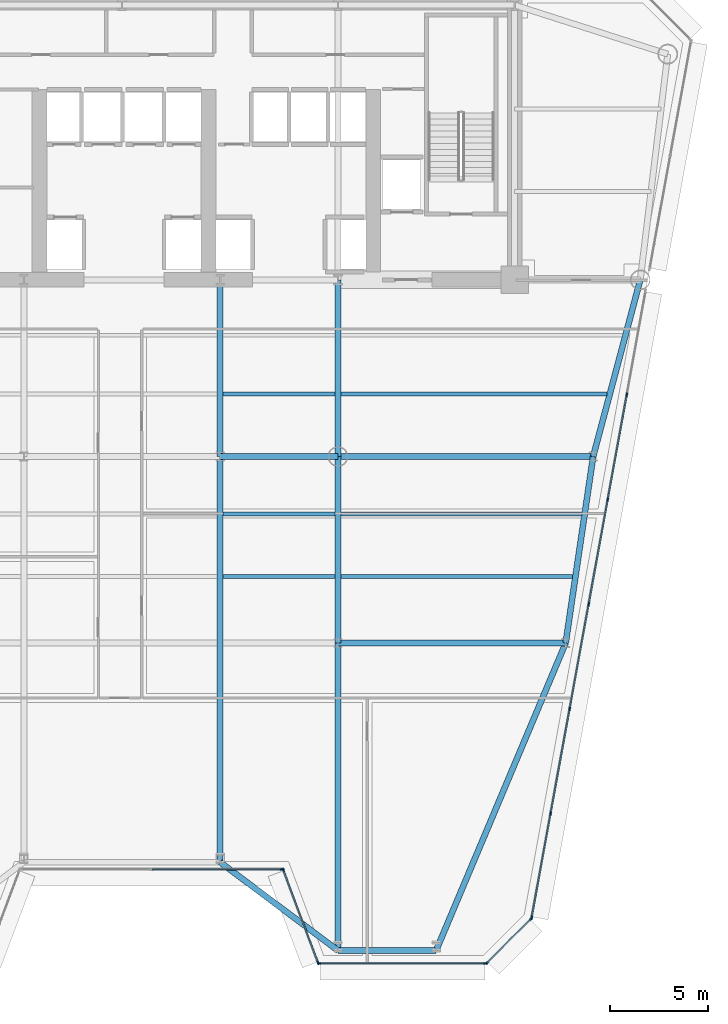
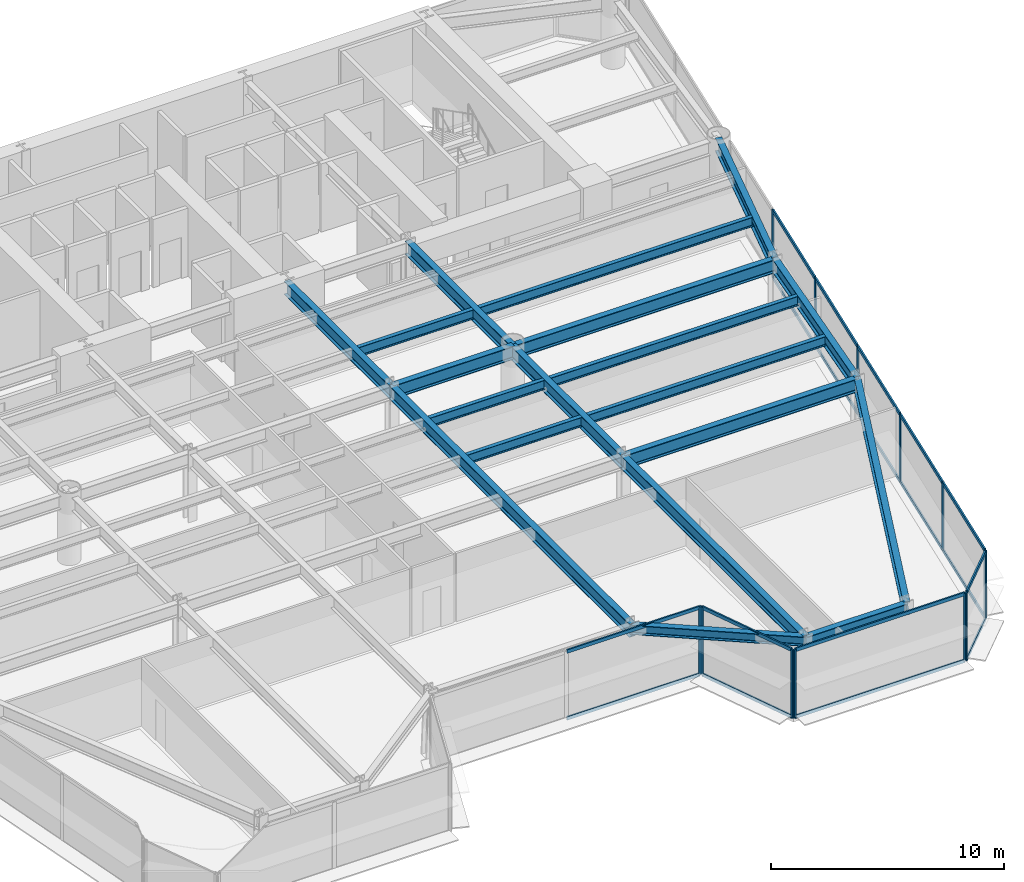
# One storey, part 4 of 14: 31 members, 19 beams, 5 elements without a shape of their own.
"""IFC4 building model written with IfcOpenShell, lengths in metres."""

from ifc_helpers import new_model, si_unit, direction, frame, origin, origin_2d, place, context, subcontext, project, spatial, rectangle, i_section, extrude, source, transform, mapped, material, layer, layer_set, material_profile, profile_set, type_object, element, aggregate, save


model = new_model("IFC4")

# Units and contexts
model_context = context("Model", 3, precision=1e-05, world=origin(), true_north=direction((0.0, 1.0)))
body_context = subcontext(model_context, "Body", "Model", "MODEL_VIEW")
ifc_project = project(units=[si_unit("LENGTHUNIT", "METRE"), si_unit("AREAUNIT", "SQUARE_METRE"), si_unit("VOLUMEUNIT", "CUBIC_METRE"), si_unit("PLANEANGLEUNIT", "RADIAN"), si_unit("MASSUNIT", "GRAM", prefix="KILO")], contexts=[model_context])

# Site, building, storey
site_placement = place(None, origin())
site = spatial("IfcSite", under=ifc_project, at=site_placement, CompositionType="ELEMENT")
building_placement = place(site_placement, origin())
building = spatial("IfcBuilding", under=site, at=building_placement, Name="Vaeldorn Concourse Tower", CompositionType="ELEMENT")
storey_placement = place(building_placement, frame((0.0, 0.0, 118.60009765625)))
storey = spatial("IfcBuildingStorey", under=building, at=storey_placement, Name="L30", CompositionType="ELEMENT", Elevation=118.60009765625)

# Beams
ifc_material_1 = material(Name="Steel S355", Category="steel")
ifc_material_profile_1 = material_profile(ifc_material_1, i_section(OverallWidth=0.199951171875, OverallDepth=0.5, WebThickness=0.01025390625, FlangeThickness=0.01611328125, FilletRadius=0.02099609375, at=origin_2d()), Name="IPE 500")
ifc_profile_set_1 = profile_set([ifc_material_profile_1], Name="Steel S355")
beam_type_1 = type_object("IfcBeamType", Name="BM-JS-IPE500", PredefinedType="JOIST", material=ifc_profile_set_1)
shared_shape_1 = source(origin(), body_context, "Body", "SweptSolid", [
    extrude(i_section(OverallWidth=0.199951171875, OverallDepth=0.5, WebThickness=0.01025390625, FlangeThickness=0.01611328125, FilletRadius=0.02099609375, at=origin_2d()), origin(), (0.0, 0.0, 1.0), 5.7001953125),
])
for number, where, z_axis, x_axis, name in (
    (1, (39.14990234375, 21.3798828125, 3.329833984375), (1.0, 0.0, 0.0), (0.0, 1.0, 0.0), "Beam JS-L30-E2-213"),
    (2, (39.14990234375, 24.580078125, 3.329833984375), (1.0, 0.0, 0.0), (0.0, 1.0, 0.0), "Beam JS-L30-E2-245"),
    (3, (39.14990234375, 30.679931640625, 3.329833984375), (1.0, 0.0, 0.0), (0.0, 1.0, 0.0), "Beam JS-L30-E2-306"),
):
    element("IfcBeam", number, at=place(storey_placement, frame(where, z_axis=z_axis, x_axis=x_axis)), inside=storey, type_object=beam_type_1, Name=name, PredefinedType="JOIST", context=body_context, shape_type="MappedRepresentation", body=[
        mapped(shared_shape_1, transform((0.0, 0.0, 0.0), scale=1.0)),
    ])
shared_shape_2 = source(origin(), body_context, "Body", "SweptSolid", [
    extrude(i_section(OverallWidth=0.199951171875, OverallDepth=0.5, WebThickness=0.01025390625, FlangeThickness=0.01611328125, FilletRadius=0.02099609375, at=origin_2d()), origin(), (0.0, 0.0, 1.0), 11.798095703125),
])
beam_1_placement = place(storey_placement, frame((45.14990234375, 21.3798828125, 3.329833984375), z_axis=(1.0, 0.0, 0.0), x_axis=(0.0, 1.0, 0.0)))
element("IfcBeam", 4, at=beam_1_placement, inside=storey, type_object=beam_type_1, Name="Beam JS-L30-E1-213", PredefinedType="JOIST", context=body_context, shape_type="MappedRepresentation", body=[
    mapped(shared_shape_2, transform((0.0, 0.0, 0.0), scale=1.0)),
])
shared_shape_3 = source(origin(), body_context, "Body", "SweptSolid", [
    extrude(i_section(OverallWidth=0.199951171875, OverallDepth=0.5, WebThickness=0.01025390625, FlangeThickness=0.01611328125, FilletRadius=0.02099609375, at=origin_2d()), origin(), (0.0, 0.0, 1.0), 12.269775390625),
])
beam_2_placement = place(storey_placement, frame((45.14990234375, 24.580078125, 3.329833984375), z_axis=(1.0, 0.0, 0.0), x_axis=(0.0, 1.0, 0.0)))
element("IfcBeam", 5, at=beam_2_placement, inside=storey, type_object=beam_type_1, Name="Beam JS-L30-E1-245", PredefinedType="JOIST", context=body_context, shape_type="MappedRepresentation", body=[
    mapped(shared_shape_3, transform((0.0, 0.0, 0.0), scale=1.0)),
])
shared_shape_4 = source(origin(), body_context, "Body", "SweptSolid", [
    extrude(i_section(OverallWidth=0.199951171875, OverallDepth=0.5, WebThickness=0.01025390625, FlangeThickness=0.01611328125, FilletRadius=0.02099609375, at=origin_2d()), origin(), (0.0, 0.0, 1.0), 13.548095703125),
])
beam_3_placement = place(storey_placement, frame((45.14990234375, 30.679931640625, 3.329833984375), z_axis=(1.0, 0.0, 0.0), x_axis=(0.0, 1.0, 0.0)))
element("IfcBeam", 6, at=beam_3_placement, inside=storey, type_object=beam_type_1, Name="Beam JS-L30-E1-306", PredefinedType="JOIST", context=body_context, shape_type="MappedRepresentation", body=[
    mapped(shared_shape_4, transform((0.0, 0.0, 0.0), scale=1.0)),
])
ifc_material_profile_2 = material_profile(ifc_material_1, i_section(OverallWidth=0.300048828125, OverallDepth=0.699951171875, WebThickness=0.01708984375, FlangeThickness=0.031982421875, FilletRadius=0.027099609375, at=origin_2d()), Name="HEB 700")
ifc_profile_set_2 = profile_set([ifc_material_profile_2], Name="Steel S355")
beam_type_2 = type_object("IfcBeamType", Name="BM-PG-HEB700", PredefinedType="BEAM", material=ifc_profile_set_2)
shared_shape_5 = source(origin(), body_context, "Body", "SweptSolid", [
    extrude(i_section(OverallWidth=0.300048828125, OverallDepth=0.699951171875, WebThickness=0.01708984375, FlangeThickness=0.031982421875, FilletRadius=0.027099609375, at=origin_2d()), origin(), (0.0, 0.0, 1.0), 6.0),
])
beam_4_placement = place(storey_placement, frame((39.0, 27.5, 3.22998046875), z_axis=(1.0, 0.0, 0.0), x_axis=(0.0, 1.0, 0.0)))
element("IfcBeam", 7, at=beam_4_placement, inside=storey, type_object=beam_type_2, Name="Beam BM-L30-C-TW3-C-TW4", PredefinedType="BEAM", context=body_context, shape_type="MappedRepresentation", body=[
    mapped(shared_shape_5, transform((0.0, 0.0, 0.0), scale=1.0)),
])
shared_shape_6 = source(origin(), body_context, "Body", "SweptSolid", [
    extrude(i_section(OverallWidth=0.300048828125, OverallDepth=0.699951171875, WebThickness=0.01708984375, FlangeThickness=0.031982421875, FilletRadius=0.027099609375, at=origin_2d()), origin(), (0.0, 0.0, 1.0), 9.0),
])
for number, where, z_axis, x_axis, name in (
    (8, (39.0, 27.5, 3.22998046875), (0.0, 1.0, 0.0), (-1.0, 0.0, 0.0), "Beam BM-L30-C-TW3-C-FC4"),
    (9, (45.0, 27.5, 3.22998046875), (0.0, 1.0, 0.0), (-1.0, 0.0, 0.0), "Beam BM-L30-C-TW4-C-FC5"),
):
    element("IfcBeam", number, at=place(storey_placement, frame(where, z_axis=z_axis, x_axis=x_axis)), inside=storey, type_object=beam_type_2, Name=name, PredefinedType="BEAM", context=body_context, shape_type="MappedRepresentation", body=[
        mapped(shared_shape_6, transform((0.0, 0.0, 0.0), scale=1.0)),
    ])
shared_shape_7 = source(origin(), body_context, "Body", "SweptSolid", [
    extrude(i_section(OverallWidth=0.300048828125, OverallDepth=0.699951171875, WebThickness=0.01708984375, FlangeThickness=0.031982421875, FilletRadius=0.027099609375, at=origin_2d()), origin(), (0.0, 0.0, 1.0), 9.314453125),
])
beam_5_placement = place(storey_placement, frame((60.39990234375, 36.5, 3.22998046875), z_axis=(-0.257652862255, -0.966237549763, 0.0), x_axis=(0.966237549763, -0.257652862255, 0.0)))
element("IfcBeam", 10, at=beam_5_placement, inside=storey, type_object=beam_type_2, Name="Beam BM-L30-C-NE2-C-FLE1", PredefinedType="BEAM", context=body_context, shape_type="MappedRepresentation", body=[
    mapped(shared_shape_7, transform((0.0, 0.0, 0.0), scale=1.0)),
])
shared_shape_8 = source(origin(), body_context, "Body", "SweptSolid", [
    extrude(i_section(OverallWidth=0.300048828125, OverallDepth=0.699951171875, WebThickness=0.01708984375, FlangeThickness=0.031982421875, FilletRadius=0.027099609375, at=origin_2d()), origin(), (0.0, 0.0, 1.0), 13.0),
])
beam_6_placement = place(storey_placement, frame((45.0, 27.5, 3.22998046875), z_axis=(1.0, 0.0, 0.0), x_axis=(0.0, 1.0, 0.0)))
element("IfcBeam", 11, at=beam_6_placement, inside=storey, type_object=beam_type_2, Name="Beam BM-L30-C-TW4-C-FLE1", PredefinedType="BEAM", context=body_context, shape_type="MappedRepresentation", body=[
    mapped(shared_shape_8, transform((0.0, 0.0, 0.0), scale=1.0)),
])
ifc_material_profile_3 = material_profile(ifc_material_1, i_section(OverallWidth=0.300048828125, OverallDepth=0.5, WebThickness=0.014404296875, FlangeThickness=0.028076171875, FilletRadius=0.027099609375, at=origin_2d()), Name="HEB 500")
ifc_profile_set_3 = profile_set([ifc_material_profile_3], Name="Steel S355")
beam_type_3 = type_object("IfcBeamType", Name="BM-SP-HEB500", PredefinedType="SPANDREL", material=ifc_profile_set_3)
shared_shape_9 = source(origin(), body_context, "Body", "SweptSolid", [
    extrude(i_section(OverallWidth=0.300048828125, OverallDepth=0.5, WebThickness=0.014404296875, FlangeThickness=0.028076171875, FilletRadius=0.027099609375, at=origin_2d()), origin(), (0.0, 0.0, 1.0), 5.0),
])
beam_7_placement = place(storey_placement, frame((45.0, 2.33447265625, 3.329833984375), z_axis=(1.0, 0.0, 0.0), x_axis=(0.0, 1.0, 0.0)))
element("IfcBeam", 12, at=beam_7_placement, inside=storey, type_object=beam_type_3, Name="Beam BM-L30-C-SF5-C-SF6", PredefinedType="SPANDREL", context=body_context, shape_type="MappedRepresentation", body=[
    mapped(shared_shape_9, transform((0.0, 0.0, 0.0), scale=1.0)),
])
shared_shape_10 = source(origin(), body_context, "Body", "SweptSolid", [
    extrude(i_section(OverallWidth=0.300048828125, OverallDepth=0.5, WebThickness=0.014404296875, FlangeThickness=0.028076171875, FilletRadius=0.027099609375, at=origin_2d()), origin(), (0.0, 0.0, 1.0), 7.5),
])
beam_8_placement = place(storey_placement, frame((39.0, 6.83447265625, 3.329833984375), z_axis=(0.8, -0.6, 0.0), x_axis=(0.6, 0.8, 0.0)))
element("IfcBeam", 13, at=beam_8_placement, inside=storey, type_object=beam_type_3, Name="Beam BM-L30-C-SF4-C-SF5", PredefinedType="SPANDREL", context=body_context, shape_type="MappedRepresentation", body=[
    mapped(shared_shape_10, transform((0.0, 0.0, 0.0), scale=1.0)),
])
shared_shape_11 = source(origin(), body_context, "Body", "SweptSolid", [
    extrude(i_section(OverallWidth=0.300048828125, OverallDepth=0.699951171875, WebThickness=0.01708984375, FlangeThickness=0.031982421875, FilletRadius=0.027099609375, at=origin_2d()), origin(), (0.0, 0.0, 1.0), 9.6025390625),
])
beam_9_placement = place(storey_placement, frame((58.0, 27.5, 3.22998046875), z_axis=(-0.145783835977, -0.989316467652, 0.0), x_axis=(0.989316467652, -0.145783835977, 0.0)))
element("IfcBeam", 14, at=beam_9_placement, inside=storey, type_object=beam_type_2, Name="Beam BM-L30-C-FLE1-C-FLE2", PredefinedType="BEAM", context=body_context, shape_type="MappedRepresentation", body=[
    mapped(shared_shape_11, transform((0.0, 0.0, 0.0), scale=1.0)),
])
shared_shape_12 = source(origin(), body_context, "Body", "SweptSolid", [
    extrude(i_section(OverallWidth=0.300048828125, OverallDepth=0.699951171875, WebThickness=0.01708984375, FlangeThickness=0.031982421875, FilletRadius=0.027099609375, at=origin_2d()), origin(), (0.0, 0.0, 1.0), 11.60009765625),
])
beam_10_placement = place(storey_placement, frame((45.0, 18.0, 3.22998046875), z_axis=(1.0, 0.0, 0.0), x_axis=(0.0, 1.0, 0.0)))
element("IfcBeam", 15, at=beam_10_placement, inside=storey, type_object=beam_type_2, Name="Beam BM-L30-C-TW6-C-FLE2", PredefinedType="BEAM", context=body_context, shape_type="MappedRepresentation", body=[
    mapped(shared_shape_12, transform((0.0, 0.0, 0.0), scale=1.0)),
])
shared_shape_13 = source(origin(), body_context, "Body", "SweptSolid", [
    extrude(i_section(OverallWidth=0.300048828125, OverallDepth=0.699951171875, WebThickness=0.01708984375, FlangeThickness=0.031982421875, FilletRadius=0.027099609375, at=origin_2d()), origin(), (0.0, 0.0, 1.0), 9.5),
])
beam_11_placement = place(storey_placement, frame((45.0, 18.0, 3.22998046875), z_axis=(0.0, 1.0, 0.0), x_axis=(-1.0, 0.0, 0.0)))
element("IfcBeam", 16, at=beam_11_placement, inside=storey, type_object=beam_type_2, Name="Beam BM-L30-C-TW6-C-TW4", PredefinedType="BEAM", context=body_context, shape_type="MappedRepresentation", body=[
    mapped(shared_shape_13, transform((0.0, 0.0, 0.0), scale=1.0)),
])
shared_shape_14 = source(origin(), body_context, "Body", "SweptSolid", [
    extrude(i_section(OverallWidth=0.300048828125, OverallDepth=0.699951171875, WebThickness=0.01708984375, FlangeThickness=0.031982421875, FilletRadius=0.027099609375, at=origin_2d()), origin(), (0.0, 0.0, 1.0), 16.9990234375),
])
beam_12_placement = place(storey_placement, frame((50.0, 2.33447265625, 3.22998046875), z_axis=(0.388261166886, 0.921549383532, 0.0), x_axis=(-0.921549383532, 0.388261166886, 0.0)))
element("IfcBeam", 17, at=beam_12_placement, inside=storey, type_object=beam_type_2, Name="Beam BM-L30-C-SF6-C-FLE2", PredefinedType="BEAM", context=body_context, shape_type="MappedRepresentation", body=[
    mapped(shared_shape_14, transform((0.0, 0.0, 0.0), scale=1.0)),
])
shared_shape_15 = source(origin(), body_context, "Body", "SweptSolid", [
    extrude(i_section(OverallWidth=0.300048828125, OverallDepth=0.699951171875, WebThickness=0.01708984375, FlangeThickness=0.031982421875, FilletRadius=0.027099609375, at=origin_2d()), origin(), (0.0, 0.0, 1.0), 15.66552734375),
])
beam_13_placement = place(storey_placement, frame((45.0, 2.33447265625, 3.22998046875), z_axis=(0.0, 1.0, 0.0), x_axis=(-1.0, 0.0, 0.0)))
element("IfcBeam", 18, at=beam_13_placement, inside=storey, type_object=beam_type_2, Name="Beam BM-L30-C-SF5-C-TW6", PredefinedType="BEAM", context=body_context, shape_type="MappedRepresentation", body=[
    mapped(shared_shape_15, transform((0.0, 0.0, 0.0), scale=1.0)),
])
shared_shape_16 = source(origin(), body_context, "Body", "SweptSolid", [
    extrude(i_section(OverallWidth=0.300048828125, OverallDepth=0.699951171875, WebThickness=0.01708984375, FlangeThickness=0.031982421875, FilletRadius=0.027099609375, at=origin_2d()), origin(), (0.0, 0.0, 1.0), 20.66552734375),
])
beam_14_placement = place(storey_placement, frame((39.0, 6.83447265625, 3.22998046875), z_axis=(0.0, 1.0, 0.0), x_axis=(-1.0, 0.0, 0.0)))
element("IfcBeam", 19, at=beam_14_placement, inside=storey, type_object=beam_type_2, Name="Beam BM-L30-C-SF4-C-TW3", PredefinedType="BEAM", context=body_context, shape_type="MappedRepresentation", body=[
    mapped(shared_shape_16, transform((0.0, 0.0, 0.0), scale=1.0)),
])

# Curtain wall, members
ifc_material_2 = material(Name="Anodised Bronze Aluminium", Category="aluminium")
ifc_layer = layer(ifc_material_2, 0.199951171875)
ifc_layer_set = layer_set([ifc_layer], Name="Anodised Bronze Aluminium")
curtain_wall_type = type_object("IfcCurtainWallType", Name="CW-SYS-02", PredefinedType="NOTDEFINED", material=ifc_layer_set)
curtain_wall_1_placement = place(storey_placement, origin())
curtain_wall_1 = element("IfcCurtainWall", 20, at=curtain_wall_1_placement, inside=storey, type_object=curtain_wall_type, Name="Unitised Curtain Wall CW-L30-E03-1", PredefinedType="NOTDEFINED")
ifc_material_profile_4 = material_profile(ifc_material_2, rectangle(XDim=0.074951171875, YDim=0.179931640625, at=origin_2d()), Name="CWT 75x180")
ifc_profile_set_4 = profile_set([ifc_material_profile_4], Name="Anodised Bronze Aluminium")
member_type_1 = type_object("IfcMemberType", Name="CWT-BRONZE-180", PredefinedType="USERDEFINED", material=ifc_profile_set_4)
shared_shape_17 = source(origin(), body_context, "Body", "SweptSolid", [
    extrude(rectangle(XDim=0.074951171875, YDim=0.179931640625, at=origin_2d()), origin(), (0.0, 0.0, 1.0), 6.58740234375),
])
member_1_placement = place(storey_placement, frame((35.53759765625, 6.473388671875, 0.037353515625), z_axis=(1.0, 0.0, 0.0), x_axis=(0.0, 1.0, 0.0)))
member_1 = element("IfcMember", 21, at=member_1_placement, type_object=member_type_1, Name="CW-02 transom 2.1", ObjectType="TRANSOM", PredefinedType="USERDEFINED", context=body_context, shape_type="MappedRepresentation", body=[
    mapped(shared_shape_17, transform((0.0, 0.0, 0.0), scale=1.0)),
])
member_2_placement = place(storey_placement, frame((35.53759765625, 6.473388671875, 3.54248046875), z_axis=(1.0, 0.0, 0.0), x_axis=(0.0, 1.0, 0.0)))
member_2 = element("IfcMember", 22, at=member_2_placement, type_object=member_type_1, Name="CW-02 transom 2.2", ObjectType="TRANSOM", PredefinedType="USERDEFINED", context=body_context, shape_type="MappedRepresentation", body=[
    mapped(shared_shape_17, transform((0.0, 0.0, 0.0), scale=1.0)),
])

curtain_wall_2_placement = place(storey_placement, origin())
curtain_wall_2 = element("IfcCurtainWall", 23, at=curtain_wall_2_placement, inside=storey, type_object=curtain_wall_type, Name="Unitised Curtain Wall CW-L30-E06-1", PredefinedType="NOTDEFINED")
shared_shape_18 = source(origin(), body_context, "Body", "SweptSolid", [
    extrude(rectangle(XDim=0.074951171875, YDim=0.179931640625, at=origin_2d()), origin(), (0.0, 0.0, 1.0), 3.102783203125),
])
member_3_placement = place(storey_placement, frame((52.614013671875, 1.7265625, 0.037353515625), z_axis=(0.707146122816, 0.707067437368, 0.0), x_axis=(-0.707067437368, 0.707146122816, 0.0)))
member_3 = element("IfcMember", 24, at=member_3_placement, type_object=member_type_1, Name="CW-02 transom 1.1", ObjectType="TRANSOM", PredefinedType="USERDEFINED", context=body_context, shape_type="MappedRepresentation", body=[
    mapped(shared_shape_18, transform((0.0, 0.0, 0.0), scale=1.0)),
])
member_4_placement = place(storey_placement, frame((52.614013671875, 1.7265625, 3.54248046875), z_axis=(0.707146122816, 0.707067437368, 0.0), x_axis=(-0.707067437368, 0.707146122816, 0.0)))
member_4 = element("IfcMember", 25, at=member_4_placement, type_object=member_type_1, Name="CW-02 transom 1.2", ObjectType="TRANSOM", PredefinedType="USERDEFINED", context=body_context, shape_type="MappedRepresentation", body=[
    mapped(shared_shape_18, transform((0.0, 0.0, 0.0), scale=1.0)),
])

curtain_wall_3_placement = place(storey_placement, origin())
curtain_wall_3 = element("IfcCurtainWall", 26, at=curtain_wall_3_placement, inside=storey, type_object=curtain_wall_type, Name="Unitised Curtain Wall CW-L30-E04-1", PredefinedType="NOTDEFINED")
shared_shape_19 = source(origin(), body_context, "Body", "SweptSolid", [
    extrude(rectangle(XDim=0.074951171875, YDim=0.179931640625, at=origin_2d()), origin(), (0.0, 0.0, 1.0), 4.9765625),
])
member_5_placement = place(storey_placement, frame((42.226318359375, 6.4033203125, 0.037353515625), z_axis=(0.351112688987, -0.936333209724, 0.0), x_axis=(0.936333209724, 0.351112688987, 0.0)))
member_5 = element("IfcMember", 27, at=member_5_placement, type_object=member_type_1, Name="CW-02 transom 1.1", ObjectType="TRANSOM", PredefinedType="USERDEFINED", context=body_context, shape_type="MappedRepresentation", body=[
    mapped(shared_shape_19, transform((0.0, 0.0, 0.0), scale=1.0)),
])
member_6_placement = place(storey_placement, frame((42.226318359375, 6.4033203125, 3.54248046875), z_axis=(0.351112688987, -0.936333209724, 0.0), x_axis=(0.936333209724, 0.351112688987, 0.0)))
member_6 = element("IfcMember", 28, at=member_6_placement, type_object=member_type_1, Name="CW-02 transom 1.2", ObjectType="TRANSOM", PredefinedType="USERDEFINED", context=body_context, shape_type="MappedRepresentation", body=[
    mapped(shared_shape_19, transform((0.0, 0.0, 0.0), scale=1.0)),
])

curtain_wall_4_placement = place(storey_placement, origin())
curtain_wall_4 = element("IfcCurtainWall", 29, at=curtain_wall_4_placement, inside=storey, type_object=curtain_wall_type, Name="Unitised Curtain Wall CW-L30-E05-1", PredefinedType="NOTDEFINED")
shared_shape_20 = source(origin(), body_context, "Body", "SweptSolid", [
    extrude(rectangle(XDim=0.074951171875, YDim=0.179931640625, at=origin_2d()), origin(), (0.0, 0.0, 1.0), 8.4111328125),
])
member_7_placement = place(storey_placement, frame((44.074951171875, 1.673583984375, 0.037353515625), z_axis=(1.0, 0.0, 0.0), x_axis=(0.0, 1.0, 0.0)))
member_7 = element("IfcMember", 30, at=member_7_placement, type_object=member_type_1, Name="CW-02 transom 1.1", ObjectType="TRANSOM", PredefinedType="USERDEFINED", context=body_context, shape_type="MappedRepresentation", body=[
    mapped(shared_shape_20, transform((0.0, 0.0, 0.0), scale=1.0)),
])
member_8_placement = place(storey_placement, frame((44.074951171875, 1.673583984375, 3.54248046875), z_axis=(1.0, 0.0, 0.0), x_axis=(0.0, 1.0, 0.0)))
member_8 = element("IfcMember", 31, at=member_8_placement, type_object=member_type_1, Name="CW-02 transom 1.2", ObjectType="TRANSOM", PredefinedType="USERDEFINED", context=body_context, shape_type="MappedRepresentation", body=[
    mapped(shared_shape_20, transform((0.0, 0.0, 0.0), scale=1.0)),
])

# Member
ifc_material_profile_5 = material_profile(ifc_material_2, rectangle(XDim=0.074951171875, YDim=0.18994140625, at=origin_2d()), Name="CWM 75x190")
ifc_profile_set_5 = profile_set([ifc_material_profile_5], Name="Anodised Bronze Aluminium")
member_type_2 = type_object("IfcMemberType", Name="CWM-BRONZE-190", PredefinedType="MULLION", material=ifc_profile_set_5)
shared_shape_21 = source(origin(), body_context, "Body", "SweptSolid", [
    extrude(rectangle(XDim=0.074951171875, YDim=0.18994140625, at=origin_2d()), origin(), (0.0, 0.0, 1.0), 3.579833984375),
])
member_9_placement = place(storey_placement, frame((42.16259765625, 6.473388671875, 0.0), z_axis=(0.0, 0.0, 1.0), x_axis=(0.0, 1.0, 0.0)))
member_9 = element("IfcMember", 32, at=member_9_placement, type_object=member_type_2, Name="CW-02 mullion 3", PredefinedType="MULLION", context=body_context, shape_type="MappedRepresentation", body=[
    mapped(shared_shape_21, transform((0.0, 0.0, 0.0), scale=1.0)),
])

aggregate(curtain_wall_1, [member_9, member_1, member_2])

member_10_placement = place(storey_placement, frame((42.213134765625, 6.4384765625, 0.0), z_axis=(0.0, 0.0, 1.0), x_axis=(0.936329177566, 0.351123441595, 0.0)))
member_10 = element("IfcMember", 33, at=member_10_placement, type_object=member_type_2, Name="CW-02 mullion 1", PredefinedType="MULLION", context=body_context, shape_type="MappedRepresentation", body=[
    mapped(shared_shape_21, transform((0.0, 0.0, 0.0), scale=1.0)),
])

member_11_placement = place(storey_placement, frame((43.98681640625, 1.70849609375, 0.0), z_axis=(0.0, 0.0, 1.0), x_axis=(0.936329177566, 0.351123441595, 0.0)))
member_11 = element("IfcMember", 34, at=member_11_placement, type_object=member_type_2, Name="CW-02 mullion 2", PredefinedType="MULLION", context=body_context, shape_type="MappedRepresentation", body=[
    mapped(shared_shape_21, transform((0.0, 0.0, 0.0), scale=1.0)),
])

aggregate(curtain_wall_3, [member_10, member_11, member_5, member_6])

member_12_placement = place(storey_placement, frame((44.03759765625, 1.673583984375, 0.0), z_axis=(0.0, 0.0, 1.0), x_axis=(0.0, 1.0, 0.0)))
member_12 = element("IfcMember", 35, at=member_12_placement, type_object=member_type_2, Name="CW-02 mullion 1", PredefinedType="MULLION", context=body_context, shape_type="MappedRepresentation", body=[
    mapped(shared_shape_21, transform((0.0, 0.0, 0.0), scale=1.0)),
])

member_13_placement = place(storey_placement, frame((52.523681640625, 1.673583984375, 0.0), z_axis=(0.0, 0.0, 1.0), x_axis=(0.0, 1.0, 0.0)))
member_13 = element("IfcMember", 36, at=member_13_placement, type_object=member_type_2, Name="CW-02 mullion 2", PredefinedType="MULLION", context=body_context, shape_type="MappedRepresentation", body=[
    mapped(shared_shape_21, transform((0.0, 0.0, 0.0), scale=1.0)),
])

aggregate(curtain_wall_4, [member_12, member_13, member_7, member_8])

member_14_placement = place(storey_placement, frame((52.587646484375, 1.699951171875, 0.0), z_axis=(0.0, 0.0, 1.0), x_axis=(-0.707106781187, 0.707106781187, 0.0)))
member_14 = element("IfcMember", 37, at=member_14_placement, type_object=member_type_2, Name="CW-02 mullion 1", PredefinedType="MULLION", context=body_context, shape_type="MappedRepresentation", body=[
    mapped(shared_shape_21, transform((0.0, 0.0, 0.0), scale=1.0)),
])

member_15_placement = place(storey_placement, frame((54.83447265625, 3.947021484375, 0.0), z_axis=(0.0, 0.0, 1.0), x_axis=(-0.707106781187, 0.707106781187, 0.0)))
member_15 = element("IfcMember", 38, at=member_15_placement, type_object=member_type_2, Name="CW-02 mullion 2", PredefinedType="MULLION", context=body_context, shape_type="MappedRepresentation", body=[
    mapped(shared_shape_21, transform((0.0, 0.0, 0.0), scale=1.0)),
])

aggregate(curtain_wall_2, [member_14, member_15, member_3, member_4])

# Curtain wall, members
curtain_wall_5_placement = place(storey_placement, origin())
curtain_wall_5 = element("IfcCurtainWall", 39, at=curtain_wall_5_placement, inside=storey, type_object=curtain_wall_type, Name="Unitised Curtain Wall CW-L30-E07-1", PredefinedType="NOTDEFINED")
member_16_placement = place(storey_placement, frame((54.867919921875, 4.010498046875, 0.0), z_axis=(0.0, 0.0, 1.0), x_axis=(-0.983843539412, 0.179030416291, 0.0)))
member_16 = element("IfcMember", 40, at=member_16_placement, type_object=member_type_2, Name="CW-02 mullion 1", PredefinedType="MULLION", context=body_context, shape_type="MappedRepresentation", body=[
    mapped(shared_shape_21, transform((0.0, 0.0, 0.0), scale=1.0)),
])
member_17_placement = place(storey_placement, frame((55.831787109375, 9.308349609375, 0.0), z_axis=(0.0, 0.0, 1.0), x_axis=(-0.983843539412, 0.179030416291, 0.0)))
member_17 = element("IfcMember", 41, at=member_17_placement, type_object=member_type_2, Name="CW-02 mullion 2", PredefinedType="MULLION", context=body_context, shape_type="MappedRepresentation", body=[
    mapped(shared_shape_21, transform((0.0, 0.0, 0.0), scale=1.0)),
])
member_18_placement = place(storey_placement, frame((56.802734375, 14.64306640625, 0.0), z_axis=(0.0, 0.0, 1.0), x_axis=(-0.983843539412, 0.179030416291, 0.0)))
member_18 = element("IfcMember", 42, at=member_18_placement, type_object=member_type_2, Name="CW-02 mullion 3", PredefinedType="MULLION", context=body_context, shape_type="MappedRepresentation", body=[
    mapped(shared_shape_21, transform((0.0, 0.0, 0.0), scale=1.0)),
])
member_19_placement = place(storey_placement, frame((57.7734375, 19.977783203125, 0.0), z_axis=(0.0, 0.0, 1.0), x_axis=(-0.983843539412, 0.179030416291, 0.0)))
member_19 = element("IfcMember", 43, at=member_19_placement, type_object=member_type_2, Name="CW-02 mullion 4", PredefinedType="MULLION", context=body_context, shape_type="MappedRepresentation", body=[
    mapped(shared_shape_21, transform((0.0, 0.0, 0.0), scale=1.0)),
])
member_20_placement = place(storey_placement, frame((58.744140625, 25.3125, 0.0), z_axis=(0.0, 0.0, 1.0), x_axis=(-0.983843539412, 0.179030416291, 0.0)))
member_20 = element("IfcMember", 44, at=member_20_placement, type_object=member_type_2, Name="CW-02 mullion 5", PredefinedType="MULLION", context=body_context, shape_type="MappedRepresentation", body=[
    mapped(shared_shape_21, transform((0.0, 0.0, 0.0), scale=1.0)),
])
member_21_placement = place(storey_placement, frame((59.71484375, 30.647216796875, 0.0), z_axis=(0.0, 0.0, 1.0), x_axis=(-0.983843539412, 0.179030416291, 0.0)))
member_21 = element("IfcMember", 45, at=member_21_placement, type_object=member_type_2, Name="CW-02 mullion 6", PredefinedType="MULLION", context=body_context, shape_type="MappedRepresentation", body=[
    mapped(shared_shape_21, transform((0.0, 0.0, 0.0), scale=1.0)),
])
shared_shape_22 = source(origin(), body_context, "Body", "SweptSolid", [
    extrude(rectangle(XDim=0.074951171875, YDim=0.179931640625, at=origin_2d()), origin(), (0.0, 0.0, 1.0), 5.3095703125),
])
member_22_placement = place(storey_placement, frame((54.87451171875, 4.04736328125, 0.037353515625), z_axis=(0.179047286434, 0.983840469396, 0.0), x_axis=(-0.983840469396, 0.179047286434, 0.0)))
member_22 = element("IfcMember", 46, at=member_22_placement, type_object=member_type_1, Name="CW-02 transom 1.1", ObjectType="TRANSOM", PredefinedType="USERDEFINED", context=body_context, shape_type="MappedRepresentation", body=[
    mapped(shared_shape_22, transform((0.0, 0.0, 0.0), scale=1.0)),
])
member_23_placement = place(storey_placement, frame((54.87451171875, 4.04736328125, 3.54248046875), z_axis=(0.179047286434, 0.983840469396, 0.0), x_axis=(-0.983840469396, 0.179047286434, 0.0)))
member_23 = element("IfcMember", 47, at=member_23_placement, type_object=member_type_1, Name="CW-02 transom 1.2", ObjectType="TRANSOM", PredefinedType="USERDEFINED", context=body_context, shape_type="MappedRepresentation", body=[
    mapped(shared_shape_22, transform((0.0, 0.0, 0.0), scale=1.0)),
])
shared_shape_23 = source(origin(), body_context, "Body", "SweptSolid", [
    extrude(rectangle(XDim=0.074951171875, YDim=0.179931640625, at=origin_2d()), origin(), (0.0, 0.0, 1.0), 5.347412109375),
])
member_24_placement = place(storey_placement, frame((55.838623046875, 9.34521484375, 0.037353515625), z_axis=(0.179018022226, 0.983845794684, 0.0), x_axis=(-0.983845794684, 0.179018022226, 0.0)))
member_24 = element("IfcMember", 48, at=member_24_placement, type_object=member_type_1, Name="CW-02 transom 2.1", ObjectType="TRANSOM", PredefinedType="USERDEFINED", context=body_context, shape_type="MappedRepresentation", body=[
    mapped(shared_shape_23, transform((0.0, 0.0, 0.0), scale=1.0)),
])
member_25_placement = place(storey_placement, frame((55.838623046875, 9.34521484375, 3.54248046875), z_axis=(0.179018022226, 0.983845794684, 0.0), x_axis=(-0.983845794684, 0.179018022226, 0.0)))
member_25 = element("IfcMember", 49, at=member_25_placement, type_object=member_type_1, Name="CW-02 transom 2.2", ObjectType="TRANSOM", PredefinedType="USERDEFINED", context=body_context, shape_type="MappedRepresentation", body=[
    mapped(shared_shape_23, transform((0.0, 0.0, 0.0), scale=1.0)),
])
member_26_placement = place(storey_placement, frame((56.809326171875, 14.679931640625, 0.037353515625), z_axis=(0.179018022226, 0.983845794684, 0.0), x_axis=(-0.983845794684, 0.179018022226, 0.0)))
member_26 = element("IfcMember", 50, at=member_26_placement, type_object=member_type_1, Name="CW-02 transom 3.1", ObjectType="TRANSOM", PredefinedType="USERDEFINED", context=body_context, shape_type="MappedRepresentation", body=[
    mapped(shared_shape_23, transform((0.0, 0.0, 0.0), scale=1.0)),
])
member_27_placement = place(storey_placement, frame((56.809326171875, 14.679931640625, 3.54248046875), z_axis=(0.179018022226, 0.983845794684, 0.0), x_axis=(-0.983845794684, 0.179018022226, 0.0)))
member_27 = element("IfcMember", 51, at=member_27_placement, type_object=member_type_1, Name="CW-02 transom 3.2", ObjectType="TRANSOM", PredefinedType="USERDEFINED", context=body_context, shape_type="MappedRepresentation", body=[
    mapped(shared_shape_23, transform((0.0, 0.0, 0.0), scale=1.0)),
])
member_28_placement = place(storey_placement, frame((57.780029296875, 20.0146484375, 0.037353515625), z_axis=(0.179062214735, 0.983837752505, 0.0), x_axis=(-0.983837752505, 0.179062214735, 0.0)))
member_28 = element("IfcMember", 52, at=member_28_placement, type_object=member_type_1, Name="CW-02 transom 4.1", ObjectType="TRANSOM", PredefinedType="USERDEFINED", context=body_context, shape_type="MappedRepresentation", body=[
    mapped(shared_shape_23, transform((0.0, 0.0, 0.0), scale=1.0)),
])
member_29_placement = place(storey_placement, frame((57.780029296875, 20.0146484375, 3.54248046875), z_axis=(0.179062214735, 0.983837752505, 0.0), x_axis=(-0.983837752505, 0.179062214735, 0.0)))
member_29 = element("IfcMember", 53, at=member_29_placement, type_object=member_type_1, Name="CW-02 transom 4.2", ObjectType="TRANSOM", PredefinedType="USERDEFINED", context=body_context, shape_type="MappedRepresentation", body=[
    mapped(shared_shape_23, transform((0.0, 0.0, 0.0), scale=1.0)),
])
member_30_placement = place(storey_placement, frame((58.7509765625, 25.349365234375, 0.037353515625), z_axis=(0.179018022226, 0.983845794684, 0.0), x_axis=(-0.983845794684, 0.179018022226, 0.0)))
member_30 = element("IfcMember", 54, at=member_30_placement, type_object=member_type_1, Name="CW-02 transom 5.1", ObjectType="TRANSOM", PredefinedType="USERDEFINED", context=body_context, shape_type="MappedRepresentation", body=[
    mapped(shared_shape_23, transform((0.0, 0.0, 0.0), scale=1.0)),
])
member_31_placement = place(storey_placement, frame((58.7509765625, 25.349365234375, 3.54248046875), z_axis=(0.179018022226, 0.983845794684, 0.0), x_axis=(-0.983845794684, 0.179018022226, 0.0)))
member_31 = element("IfcMember", 55, at=member_31_placement, type_object=member_type_1, Name="CW-02 transom 5.2", ObjectType="TRANSOM", PredefinedType="USERDEFINED", context=body_context, shape_type="MappedRepresentation", body=[
    mapped(shared_shape_23, transform((0.0, 0.0, 0.0), scale=1.0)),
])
aggregate(curtain_wall_5, [member_16, member_17, member_18, member_19, member_20, member_21, member_22, member_23, member_24, member_25, member_26, member_27, member_28, member_29, member_30, member_31])

save(model, "model.ifc")
